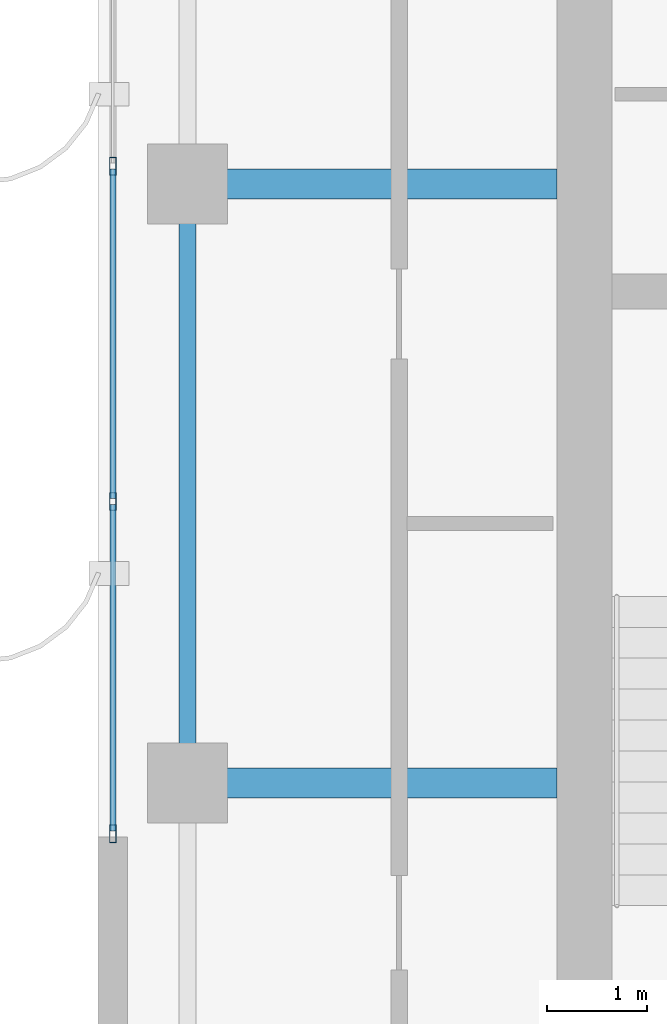
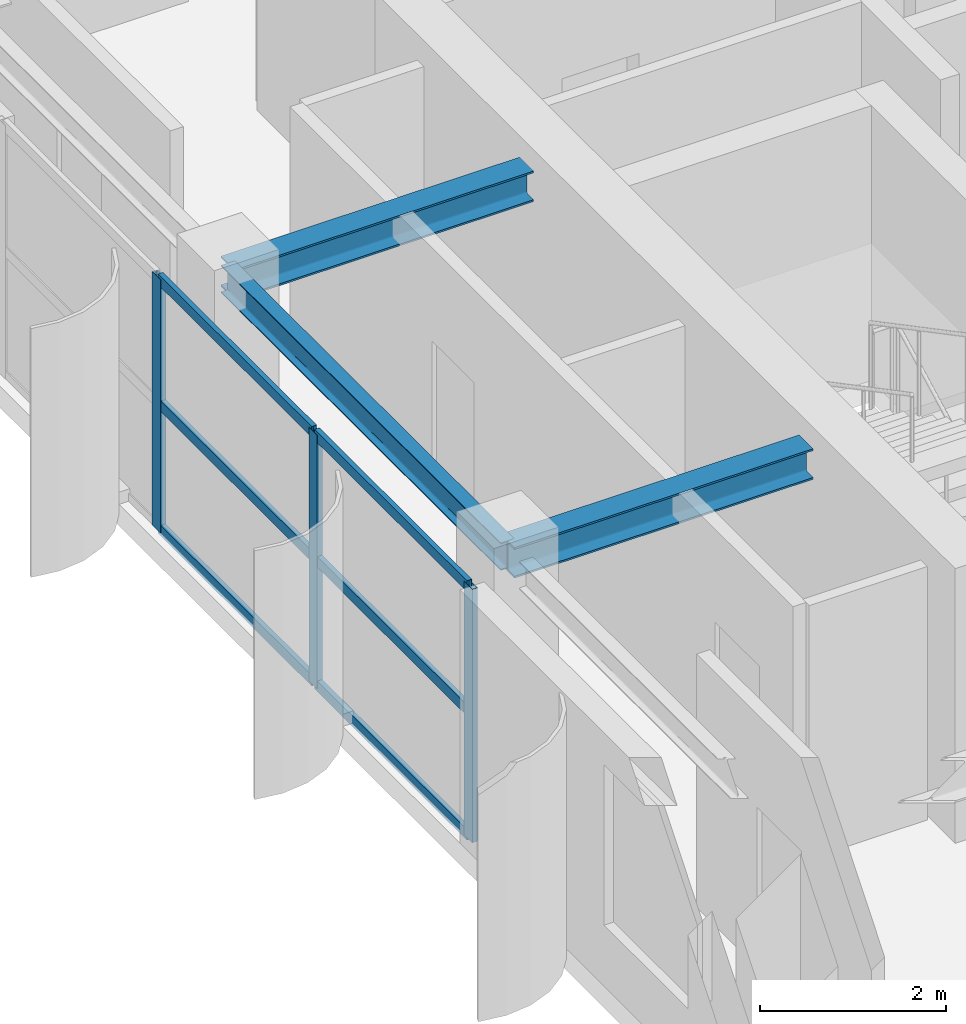
# One storey, part 7 of 22: 9 members, 3 beams, 1 element without a shape of its own.
"""IFC4 building model written with IfcOpenShell, lengths in metres."""

from ifc_helpers import new_model, si_unit, direction, frame, origin, origin_2d, place, context, subcontext, project, spatial, hollow_rectangle, i_section, extrude, source, transform, mapped, material, layer, layer_set, material_profile, profile_set, type_object, element, aggregate, save


model = new_model("IFC4")

# Units and contexts
model_context = context("Model", 3, precision=1e-05, world=origin(), true_north=direction((0.0, 1.0)))
body_context = subcontext(model_context, "Body", "Model", "MODEL_VIEW")
ifc_project = project(units=[si_unit("LENGTHUNIT", "METRE"), si_unit("AREAUNIT", "SQUARE_METRE"), si_unit("VOLUMEUNIT", "CUBIC_METRE"), si_unit("PLANEANGLEUNIT", "RADIAN"), si_unit("MASSUNIT", "GRAM", prefix="KILO")], contexts=[model_context])

# Site, building, storey
site_placement = place(None, origin())
site = spatial("IfcSite", under=ifc_project, at=site_placement, CompositionType="ELEMENT")
building_placement = place(site_placement, origin())
building = spatial("IfcBuilding", under=site, at=building_placement, Name="Khoralis Quay Care Tower", CompositionType="ELEMENT")
storey_placement = place(building_placement, frame((0.0, 0.0, 278.10009765625)))
storey = spatial("IfcBuildingStorey", under=building, at=storey_placement, Name="L73", CompositionType="ELEMENT", Elevation=278.10009765625)

# Beams
ifc_material_1 = material(Name="Steel S355", Category="steel")
ifc_material_profile_1 = material_profile(ifc_material_1, i_section(OverallWidth=0.169921875, OverallDepth=0.360107421875, WebThickness=0.008056640625, FlangeThickness=0.0126953125, FilletRadius=0.01806640625, at=origin_2d()), Name="Steel S355")
ifc_profile_set_1 = profile_set([ifc_material_profile_1], Name="Steel S355")
beam_type_1 = type_object("IfcBeamType", Name="BM-IPE360", PredefinedType="SPANDREL", material=ifc_profile_set_1)
shared_shape_1 = source(origin(), body_context, "Body", "SweptSolid", [
    extrude(i_section(OverallWidth=0.169921875, OverallDepth=0.360107421875, WebThickness=0.008056640625, FlangeThickness=0.0126953125, FilletRadius=0.01806640625, at=origin_2d()), origin(), (0.0, 0.0, 1.0), 6.0),
])
beam_placement = place(storey_placement, frame((3.89990234375, 18.0, 3.139892578125), z_axis=(0.0, 1.0, 0.0), x_axis=(-1.0, 0.0, 0.0)))
element("IfcBeam", 1, at=beam_placement, inside=storey, type_object=beam_type_1, Name="BM-TSP-L73-10", PredefinedType="SPANDREL", context=body_context, shape_type="MappedRepresentation", body=[
    mapped(shared_shape_1, transform((0.0, 0.0, 0.0), scale=1.0)),
])
ifc_material_profile_2 = material_profile(ifc_material_1, i_section(OverallWidth=0.300048828125, OverallDepth=0.39990234375, WebThickness=0.013427734375, FlangeThickness=0.02392578125, FilletRadius=0.027099609375, at=origin_2d()), Name="Steel S355")
ifc_profile_set_2 = profile_set([ifc_material_profile_2], Name="Steel S355")
beam_type_2 = type_object("IfcBeamType", Name="BM-HEB400", PredefinedType="BEAM", material=ifc_profile_set_2)
shared_shape_2 = source(origin(), body_context, "Body", "SweptSolid", [
    extrude(i_section(OverallWidth=0.300048828125, OverallDepth=0.39990234375, WebThickness=0.013427734375, FlangeThickness=0.02392578125, FilletRadius=0.027099609375, at=origin_2d()), origin(), (0.0, 0.0, 1.0), 3.7021484375),
])
for number, where, z_axis, x_axis, name in (
    (2, (3.89990234375, 18.0, 3.119873046875), (1.0, 0.0, 0.0), (0.0, 1.0, 0.0), "BM-TGXW-L73-180"),
    (3, (3.89990234375, 24.0, 3.119873046875), (1.0, 0.0, 0.0), (0.0, 1.0, 0.0), "BM-TGXW-L73-240"),
):
    element("IfcBeam", number, at=place(storey_placement, frame(where, z_axis=z_axis, x_axis=x_axis)), inside=storey, type_object=beam_type_2, Name=name, PredefinedType="BEAM", context=body_context, shape_type="MappedRepresentation", body=[
        mapped(shared_shape_2, transform((0.0, 0.0, 0.0), scale=1.0)),
    ])

# Curtain wall, members
ifc_material_2 = material(Name="Pale anodised aluminium", Category="aluminium")
ifc_layer = layer(ifc_material_2, 0.159912109375)
ifc_layer_set = layer_set([ifc_layer], Name="Pale anodised aluminium")
curtain_wall_type = type_object("IfcCurtainWallType", Name="CW-SYS-Z3", PredefinedType="NOTDEFINED", material=ifc_layer_set)
curtain_wall_placement = place(storey_placement, origin())
curtain_wall = element("IfcCurtainWall", 4, at=curtain_wall_placement, inside=storey, type_object=curtain_wall_type, Name="L73 Unitised Curtain Wall CW-L73-P1-E15", PredefinedType="NOTDEFINED")
ifc_material_profile_3 = material_profile(ifc_material_2, hollow_rectangle(XDim=0.06494140625, YDim=0.179931640625, WallThickness=0.00390625, at=origin_2d()), Name="Pale anodised aluminium")
ifc_profile_set_3 = profile_set([ifc_material_profile_3], Name="Pale anodised aluminium")
member_type_1 = type_object("IfcMemberType", Name="CW-MUL-180", PredefinedType="MULLION", material=ifc_profile_set_3)
shared_shape_3 = source(origin(), body_context, "Body", "SweptSolid", [
    extrude(hollow_rectangle(XDim=0.06494140625, YDim=0.179931640625, WallThickness=0.00390625, at=origin_2d()), origin(), (0.0, 0.0, 1.0), 3.31982421875),
])
member_1_placement = place(storey_placement, frame((3.14990234375, 24.179931640625, 0.0), z_axis=(0.0, 0.0, 1.0), x_axis=(1.0, 0.0, 0.0)))
member_1 = element("IfcMember", 5, at=member_1_placement, type_object=member_type_1, Name="CW3 mullion 2", PredefinedType="MULLION", context=body_context, shape_type="MappedRepresentation", body=[
    mapped(shared_shape_3, transform((0.0, 0.0, 0.0), scale=1.0)),
])
member_2_placement = place(storey_placement, frame((3.14990234375, 20.820068359375, 0.0), z_axis=(0.0, 0.0, 1.0), x_axis=(1.0, 0.0, 0.0)))
member_2 = element("IfcMember", 6, at=member_2_placement, type_object=member_type_1, Name="CW3 mullion 3", PredefinedType="MULLION", context=body_context, shape_type="MappedRepresentation", body=[
    mapped(shared_shape_3, transform((0.0, 0.0, 0.0), scale=1.0)),
])
member_3_placement = place(storey_placement, frame((3.14990234375, 17.489990234375, 0.0), z_axis=(0.0, 0.0, 1.0), x_axis=(1.0, 0.0, 0.0)))
member_3 = element("IfcMember", 7, at=member_3_placement, type_object=member_type_1, Name="CW3 mullion 4", PredefinedType="MULLION", context=body_context, shape_type="MappedRepresentation", body=[
    mapped(shared_shape_3, transform((0.0, 0.0, 0.0), scale=1.0)),
])
ifc_material_profile_4 = material_profile(ifc_material_2, hollow_rectangle(XDim=0.06005859375, YDim=0.139892578125, WallThickness=0.00390625, at=origin_2d()), Name="Pale anodised aluminium")
ifc_profile_set_4 = profile_set([ifc_material_profile_4], Name="Pale anodised aluminium")
member_type_2 = type_object("IfcMemberType", Name="CW-TRN-140", PredefinedType="USERDEFINED", material=ifc_profile_set_4)
shared_shape_4 = source(origin(), body_context, "Body", "SweptSolid", [
    extrude(hollow_rectangle(XDim=0.06005859375, YDim=0.139892578125, WallThickness=0.00390625, at=origin_2d()), origin(), (0.0, 0.0, 1.0), 3.27001953125),
])
member_4_placement = place(storey_placement, frame((3.14990234375, 20.7900390625, 0.02978515625), z_axis=(0.0, -1.0, 0.0), x_axis=(1.0, 0.0, 0.0)))
member_4 = element("IfcMember", 8, at=member_4_placement, type_object=member_type_2, Name="CW3 transom 3.1", ObjectType="TRANSOM", PredefinedType="USERDEFINED", context=body_context, shape_type="MappedRepresentation", body=[
    mapped(shared_shape_4, transform((0.0, 0.0, 0.0), scale=1.0)),
])
member_5_placement = place(storey_placement, frame((3.14990234375, 20.7900390625, 1.659912109375), z_axis=(0.0, -1.0, 0.0), x_axis=(1.0, 0.0, 0.0)))
member_5 = element("IfcMember", 9, at=member_5_placement, type_object=member_type_2, Name="CW3 transom 3.2", ObjectType="TRANSOM", PredefinedType="USERDEFINED", context=body_context, shape_type="MappedRepresentation", body=[
    mapped(shared_shape_4, transform((0.0, 0.0, 0.0), scale=1.0)),
])
member_6_placement = place(storey_placement, frame((3.14990234375, 20.7900390625, 3.289794921875), z_axis=(0.0, -1.0, 0.0), x_axis=(1.0, 0.0, 0.0)))
member_6 = element("IfcMember", 10, at=member_6_placement, type_object=member_type_2, Name="CW3 transom 3.3", ObjectType="TRANSOM", PredefinedType="USERDEFINED", context=body_context, shape_type="MappedRepresentation", body=[
    mapped(shared_shape_4, transform((0.0, 0.0, 0.0), scale=1.0)),
])
shared_shape_5 = source(origin(), body_context, "Body", "SweptSolid", [
    extrude(hollow_rectangle(XDim=0.06005859375, YDim=0.139892578125, WallThickness=0.00390625, at=origin_2d()), origin(), (0.0, 0.0, 1.0), 3.2998046875),
])
member_7_placement = place(storey_placement, frame((3.14990234375, 24.14990234375, 0.02978515625), z_axis=(0.0, -1.0, 0.0), x_axis=(1.0, 0.0, 0.0)))
member_7 = element("IfcMember", 11, at=member_7_placement, type_object=member_type_2, Name="CW3 transom 2.1", ObjectType="TRANSOM", PredefinedType="USERDEFINED", context=body_context, shape_type="MappedRepresentation", body=[
    mapped(shared_shape_5, transform((0.0, 0.0, 0.0), scale=1.0)),
])
member_8_placement = place(storey_placement, frame((3.14990234375, 24.14990234375, 1.659912109375), z_axis=(0.0, -1.0, 0.0), x_axis=(1.0, 0.0, 0.0)))
member_8 = element("IfcMember", 12, at=member_8_placement, type_object=member_type_2, Name="CW3 transom 2.2", ObjectType="TRANSOM", PredefinedType="USERDEFINED", context=body_context, shape_type="MappedRepresentation", body=[
    mapped(shared_shape_5, transform((0.0, 0.0, 0.0), scale=1.0)),
])
member_9_placement = place(storey_placement, frame((3.14990234375, 24.14990234375, 3.289794921875), z_axis=(0.0, -1.0, 0.0), x_axis=(1.0, 0.0, 0.0)))
member_9 = element("IfcMember", 13, at=member_9_placement, type_object=member_type_2, Name="CW3 transom 2.3", ObjectType="TRANSOM", PredefinedType="USERDEFINED", context=body_context, shape_type="MappedRepresentation", body=[
    mapped(shared_shape_5, transform((0.0, 0.0, 0.0), scale=1.0)),
])
aggregate(curtain_wall, [member_1, member_2, member_3, member_7, member_8, member_9, member_4, member_5, member_6])

save(model, "model.ifc")
